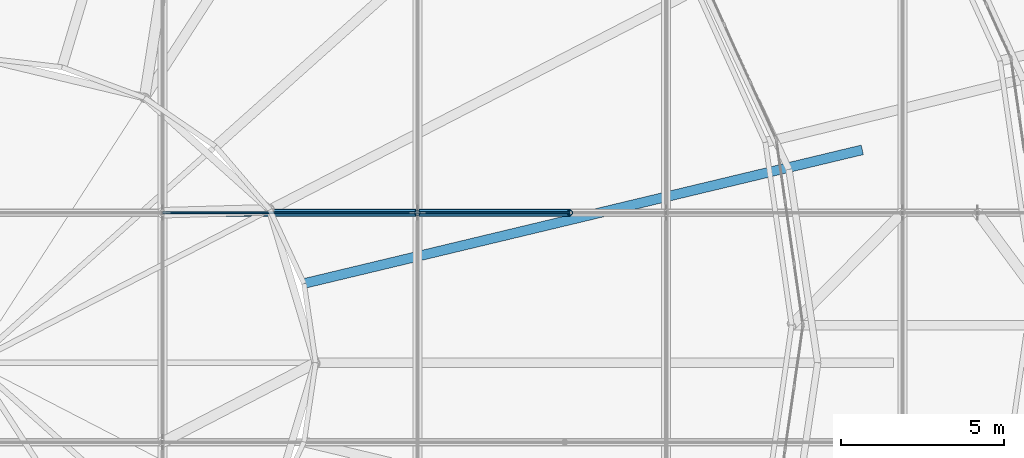
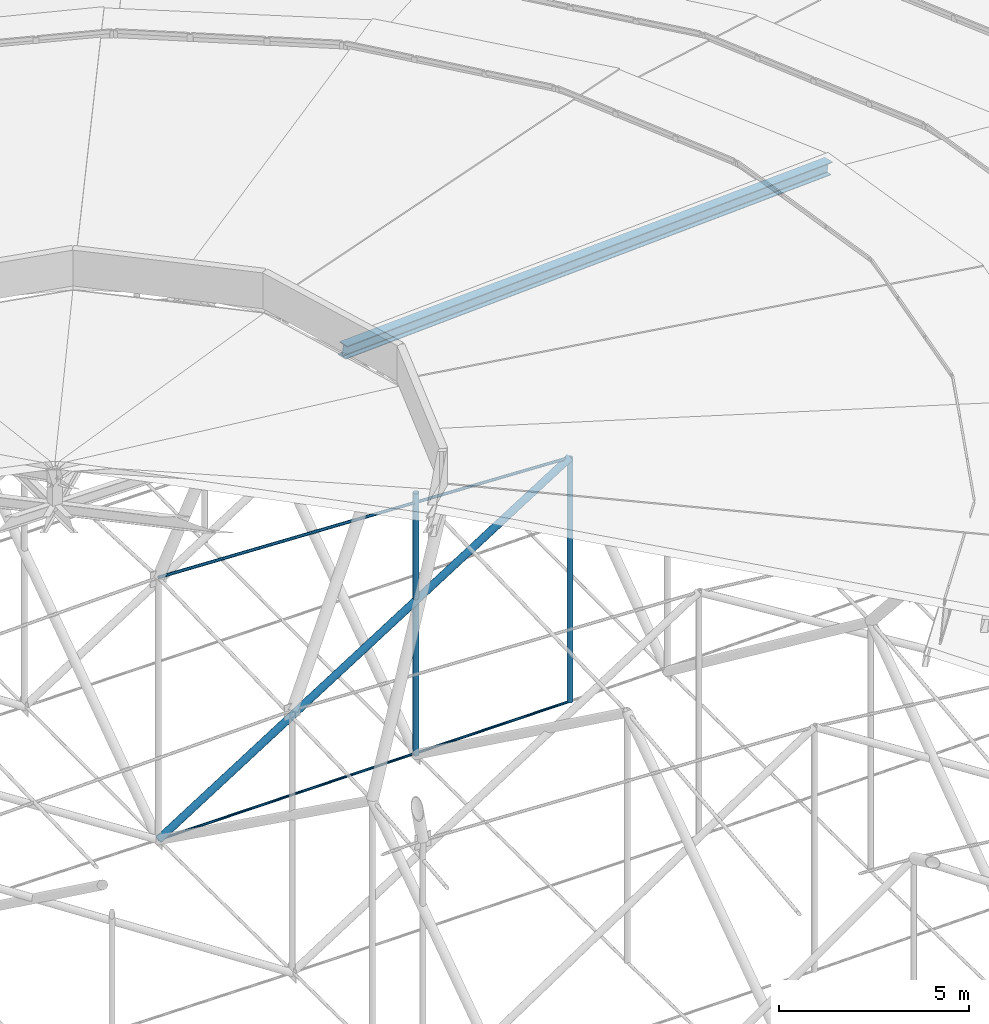
# One storey, part 61 of 173: 6 members.
"""IFC4 building model written with IfcOpenShell, lengths in metres."""

from ifc_helpers import new_model, si_unit, direction, frame, origin, origin_2d, place, context, subcontext, project, spatial, circle, hollow_circle, i_section, extrude, material, material_profile, profile_set, type_object, element, save


model = new_model("IFC4")

# Units and contexts
model_context = context("Model", 3, precision=1e-05, world=origin(), true_north=direction((0.0, 1.0)))
body_context = subcontext(model_context, "Body", "Model", "MODEL_VIEW")
ifc_project = project(units=[si_unit("LENGTHUNIT", "METRE"), si_unit("AREAUNIT", "SQUARE_METRE"), si_unit("VOLUMEUNIT", "CUBIC_METRE"), si_unit("PLANEANGLEUNIT", "RADIAN"), si_unit("MASSUNIT", "GRAM", prefix="KILO")], contexts=[model_context])

# Site, building, storey
site_placement = place(None, origin())
site = spatial("IfcSite", under=ifc_project, at=site_placement, CompositionType="ELEMENT")
building_placement = place(site_placement, origin())
building = spatial("IfcBuilding", under=site, at=building_placement, Name="Glasvene Arena", CompositionType="ELEMENT")
storey_placement = place(building_placement, frame((0.0, 0.0, 28.800048828125)))
storey = spatial("IfcBuildingStorey", under=building, at=storey_placement, Name="RF", CompositionType="ELEMENT", Elevation=28.800048828125)

# Members
ifc_material_1 = material(Name="High-strength steel spiral strand S460", Category="steel")
ifc_material_profile_1 = material_profile(ifc_material_1, circle(Radius=0.03759765625, at=origin_2d()), Name="LCSS D75")
ifc_profile_set_1 = profile_set([ifc_material_profile_1], Name="High-strength steel spiral strand S460")
member_type_1 = type_object("IfcMemberType", Name="MB-CABLE-75", PredefinedType="USERDEFINED", material=ifc_profile_set_1)
member_1_placement = place(storey_placement, frame((92.0, 73.0, -2.400146484375), z_axis=(0.999983401712, 0.0, 0.005761623115), x_axis=(0.0, 1.0, 0.0)))
element("IfcMember", 1, at=member_1_placement, inside=storey, type_object=member_type_1, Name="Lower stabilization roof cable EW04-05", ObjectType="ROOF CABLE", PredefinedType="USERDEFINED", context=body_context, shape_type="SweptSolid", body=[
    extrude(circle(Radius=0.03759765625, at=origin_2d()), origin(), (0.0, 0.0, 1.0), 12.500244140625),
])
ifc_material_profile_2 = material_profile(ifc_material_1, circle(Radius=0.044921875, at=origin_2d()), Name="LCSS D90")
ifc_profile_set_2 = profile_set([ifc_material_profile_2], Name="High-strength steel spiral strand S460")
member_type_2 = type_object("IfcMemberType", Name="MB-CABLE-90", PredefinedType="USERDEFINED", material=ifc_profile_set_2)
member_2_placement = place(storey_placement, frame((92.0, 73.0, 6.02001953125), z_axis=(0.999133343634, 0.0, -0.04162405121), x_axis=(0.0, 1.0, 0.0)))
element("IfcMember", 2, at=member_2_placement, inside=storey, type_object=member_type_2, Name="Upper lens roof cable EW04-05", ObjectType="ROOF CABLE", PredefinedType="USERDEFINED", context=body_context, shape_type="SweptSolid", body=[
    extrude(circle(Radius=0.044921875, at=origin_2d()), origin(), (0.0, 0.0, 1.0), 12.5107421875),
])
ifc_material_2 = material(Name="Steel S355J2", Category="steel")
ifc_material_profile_3 = material_profile(ifc_material_2, i_section(OverallWidth=0.300048828125, OverallDepth=0.39990234375, WebThickness=0.013427734375, FlangeThickness=0.02392578125, FilletRadius=0.027099609375, at=origin_2d()), Name="HEB 400")
ifc_profile_set_3 = profile_set([ifc_material_profile_3], Name="Steel S355J2")
member_type_3 = type_object("IfcMemberType", Name="MB-CHORD-HEB400", PredefinedType="CHORD", material=ifc_profile_set_3)
member_3_placement = place(storey_placement, frame((113.439208984375, 74.922119140625, 10.550048828125), z_axis=(-0.962442673629, -0.230437051917, 0.143536981584), x_axis=(0.232848205807, -0.972513091456, 0.0)))
element("IfcMember", 3, at=member_3_placement, inside=storey, type_object=member_type_3, Name="Petal ring 5 radial rib 02", PredefinedType="CHORD", context=body_context, shape_type="SweptSolid", body=[
    extrude(i_section(OverallWidth=0.300048828125, OverallDepth=0.39990234375, WebThickness=0.013427734375, FlangeThickness=0.02392578125, FilletRadius=0.027099609375, at=origin_2d()), origin(), (0.0, 0.0, 1.0), 17.76416015625),
])
ifc_material_profile_4 = material_profile(ifc_material_2, hollow_circle(Radius=0.084228515625, WallThickness=0.008056640625, at=origin_2d()), Name="CHS 168.3x8.0")
ifc_profile_set_4 = profile_set([ifc_material_profile_4], Name="Steel S355J2")
member_type_4 = type_object("IfcMemberType", Name="MB-WEB-CHS168", PredefinedType="BRACE", material=ifc_profile_set_4)
member_4_placement = place(storey_placement, frame((99.82177734375, 73.0, -2.400146484375), z_axis=(0.0, 0.0, 1.0), x_axis=(1.0, 0.0, 0.0)))
element("IfcMember", 4, at=member_4_placement, inside=storey, type_object=member_type_4, Name="Cable-truss vertical strut NS04-04", PredefinedType="BRACE", context=body_context, shape_type="SweptSolid", body=[
    extrude(hollow_circle(Radius=0.084228515625, WallThickness=0.008056640625, at=origin_2d()), origin(), (0.0, 0.0, 1.0), 8.420166015625),
])
member_5_placement = place(storey_placement, frame((104.5, 73.0, -2.328125), z_axis=(0.0, 0.0, 1.0), x_axis=(1.0, 0.0, 0.0)))
element("IfcMember", 5, at=member_5_placement, inside=storey, type_object=member_type_4, Name="Cable-truss vertical strut EW04-05", PredefinedType="BRACE", context=body_context, shape_type="SweptSolid", body=[
    extrude(hollow_circle(Radius=0.084228515625, WallThickness=0.008056640625, at=origin_2d()), origin(), (0.0, 0.0, 1.0), 7.827392578125),
])
ifc_material_profile_5 = material_profile(ifc_material_2, hollow_circle(Radius=0.109619140625, WallThickness=0.010009765625, at=origin_2d()), Name="CHS 219.1x10.0")
ifc_profile_set_5 = profile_set([ifc_material_profile_5], Name="Steel S355J2")
member_type_5 = type_object("IfcMemberType", Name="MB-WEB-CHS219", PredefinedType="BRACE", material=ifc_profile_set_5)
member_6_placement = place(storey_placement, frame((92.0, 73.0, -2.400146484375), z_axis=(0.845346063714, 0.0, 0.534219086671), x_axis=(0.0, 1.0, 0.0)))
element("IfcMember", 6, at=member_6_placement, inside=storey, type_object=member_type_5, Name="Cable-truss diagonal web strut EW04-05", PredefinedType="BRACE", context=body_context, shape_type="SweptSolid", body=[
    extrude(hollow_circle(Radius=0.109619140625, WallThickness=0.010009765625, at=origin_2d()), origin(), (0.0, 0.0, 1.0), 14.786865234375),
])

save(model, "model.ifc")
